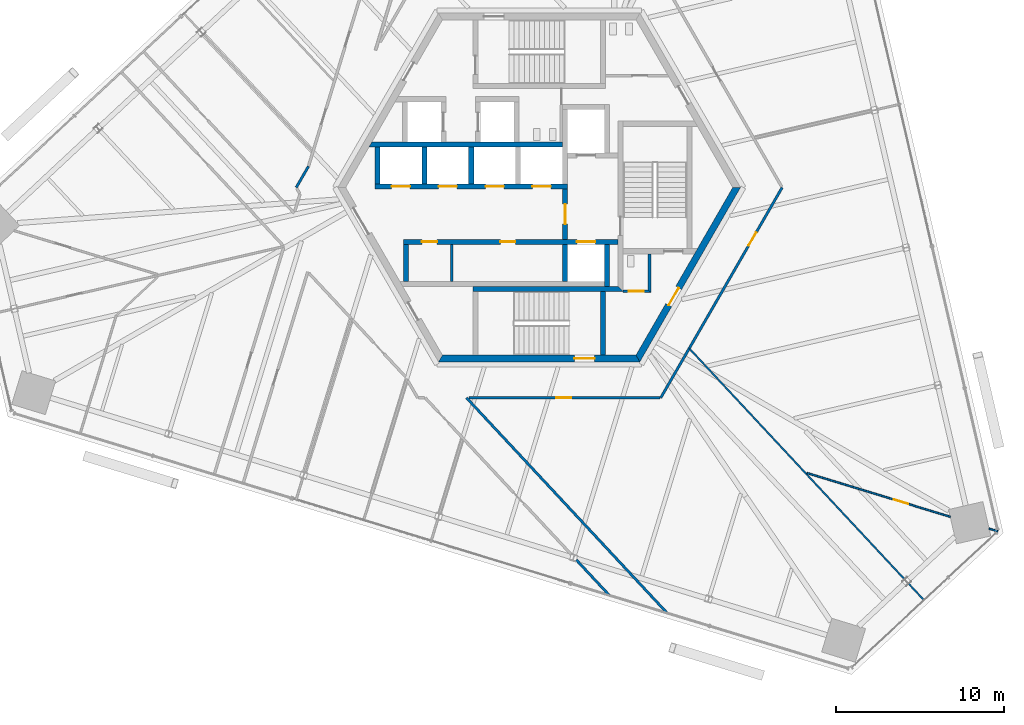
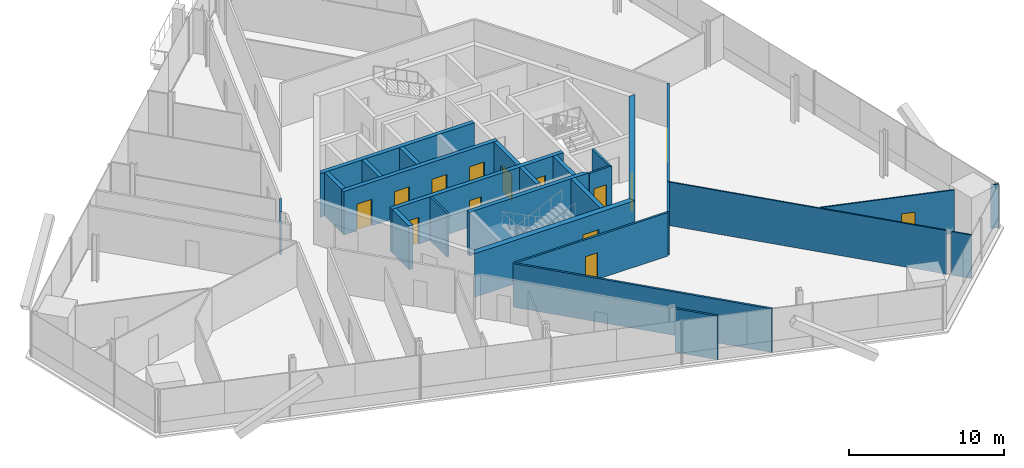
# One storey, part 12 of 18: 26 walls, 14 doors, 14 openings.
"""IFC4 building model written with IfcOpenShell, lengths in metres."""

from ifc_helpers import new_model, si_unit, direction, frame, frame_2d, origin, place, context, subcontext, project, spatial, polyline, rectangle, outline, extrude, source, transform, mapped, material, layer, layer_set, type_object, element, fill, save


model = new_model("IFC4")

# Units and contexts
model_context = context("Model", 3, precision=1e-05, world=origin(), true_north=direction((0.0, 1.0)))
body_context = subcontext(model_context, "Body", "Model", "MODEL_VIEW")
ifc_project = project(units=[si_unit("LENGTHUNIT", "METRE"), si_unit("AREAUNIT", "SQUARE_METRE"), si_unit("VOLUMEUNIT", "CUBIC_METRE"), si_unit("PLANEANGLEUNIT", "RADIAN"), si_unit("MASSUNIT", "GRAM", prefix="KILO")], contexts=[model_context])

# Site, building, storey
site_placement = place(None, origin())
site = spatial("IfcSite", under=ifc_project, at=site_placement, CompositionType="ELEMENT")
building_placement = place(site_placement, origin())
building = spatial("IfcBuilding", under=site, at=building_placement, Name="Triune Harvest Tower", CompositionType="ELEMENT")
storey_placement = place(building_placement, frame((0.0, 0.0, 101.89990234375)))
storey = spatial("IfcBuildingStorey", under=building, at=storey_placement, Name="L25", CompositionType="ELEMENT", Elevation=101.89990234375)

# Walls
ifc_material_1 = material(Name="Gypsum board on steel studs", Category="steel")
ifc_layer_1 = layer(ifc_material_1, 0.14990234375)
ifc_layer_set_1 = layer_set([ifc_layer_1], Name="Gypsum board on steel studs")
wall_type_1 = type_object("IfcWallType", Name="Fire Partition 150 mm", PredefinedType="PARTITIONING", material=ifc_layer_set_1)
wall_1_placement = place(storey_placement, frame((2.209716796875, -22.196044921875, 0.0), z_axis=(0.0, 0.0, 1.0), x_axis=(0.681947692546, -0.731400946561, 0.0)))
element("IfcWall", 1, at=wall_1_placement, inside=storey, type_object=wall_type_1, Name="Partition L25 007", PredefinedType="PARTITIONING", context=body_context, shape_type="SweptSolid", body=[
    extrude(rectangle(XDim=2.887939453125, YDim=0.14990234375, at=frame_2d((1.44384765625, 0.0))), origin(), (0.0, 0.0, 1.0), 3.440185546875),
])
wall_2_placement = place(storey_placement, frame((-4.33154296875, -12.542236328125, 0.0), z_axis=(0.0, 0.0, 1.0), x_axis=(0.68200056093, -0.731351649271, 0.0)))
element("IfcWall", 2, at=wall_2_placement, inside=storey, type_object=wall_type_1, Name="Partition L25 009", PredefinedType="PARTITIONING", context=body_context, shape_type="SweptSolid", body=[
    extrude(rectangle(XDim=17.52734375, YDim=0.14990234375, at=frame_2d((8.763671875, 0.0))), origin(), (0.0, 0.0, 1.0), 3.440185546875),
])

# Wall, opening, door
wall_3_placement = place(storey_placement, frame((-4.19140625, -12.542236328125, 0.0), z_axis=(0.0, 0.0, 1.0), x_axis=(1.0, 0.0, 0.0)))
wall_3 = element("IfcWall", 3, at=wall_3_placement, inside=storey, type_object=wall_type_1, Name="Partition L25 028", PredefinedType="PARTITIONING", context=body_context, shape_type="SweptSolid", body=[
    extrude(rectangle(XDim=11.3828125, YDim=0.14990234375, at=frame_2d((5.69140625, 0.0))), origin(), (0.0, 0.0, 1.0), 3.440185546875),
])
opening_1_placement = place(wall_3_placement, frame((5.2099609375, 0.0, 0.0)))
opening_1 = element("IfcOpeningElement", 4, at=opening_1_placement, cuts=wall_3, Name="Opening L25-018", PredefinedType="OPENING", context=body_context, shape_type="SweptSolid", body=[
    extrude(rectangle(XDim=0.89990234375, YDim=2.10009765625, at=frame_2d((0.449951171875, 1.050048828125))), frame((0.0, 0.0849609375, 0.0), z_axis=(0.0, -1.0, 0.0), x_axis=(1.0, 0.0, 0.0)), (0.0, 0.0, 1.0), 0.169921875),
])
ifc_material_2 = material(Name="Timber and steel door set", Category="steel")
door_type_1 = type_object("IfcDoorType", Name="Single leaf door FD30 left hand 900 x 2100", OperationType="SINGLE_SWING_LEFT", PredefinedType="DOOR", material=ifc_material_2)
door_1_placement = place(opening_1_placement, origin())
door_1 = element("IfcDoor", 5, at=door_1_placement, inside=storey, type_object=door_type_1, Name="Door L25-018 Open Office 25.18", OperationType="SINGLE_SWING_LEFT", OverallHeight=2.10009765625, OverallWidth=0.89990234375, PredefinedType="DOOR", context=body_context, shape_type="SweptSolid", body=[
    extrude(rectangle(XDim=0.89990234375, YDim=2.10009765625, at=frame_2d((0.449951171875, 1.050048828125))), frame((0.0, 0.02490234375, 0.0), z_axis=(0.0, -1.0, 0.0), x_axis=(1.0, 0.0, 0.0)), (0.0, 0.0, 1.0), 0.050048828125),
])
fill(opening_1, door_1)

wall_4_placement = place(storey_placement, frame((7.2412109375, -12.542236328125, 0.0), z_axis=(0.0, 0.0, 1.0), x_axis=(0.50000992002, 0.866019676383, 0.0)))
wall_4 = element("IfcWall", 6, at=wall_4_placement, inside=storey, type_object=wall_type_1, Name="Partition L25 036", PredefinedType="PARTITIONING", context=body_context, shape_type="SweptSolid", body=[
    extrude(rectangle(XDim=14.482666015625, YDim=0.14990234375, at=frame_2d((7.2412109375, 0.0))), origin(), (0.0, 0.0, 1.0), 3.440185546875),
])
opening_2_placement = place(wall_4_placement, frame((10.48193359375, 0.0, 0.0)))
opening_2 = element("IfcOpeningElement", 7, at=opening_2_placement, cuts=wall_4, Name="Opening L25-001", PredefinedType="OPENING", context=body_context, shape_type="SweptSolid", body=[
    extrude(rectangle(XDim=0.89990234375, YDim=2.10009765625, at=frame_2d((0.449951171875, 1.050048828125))), frame((0.0, 0.0849609375, 0.0), z_axis=(0.0, -1.0, 0.0), x_axis=(1.0, 0.0, 0.0)), (0.0, 0.0, 1.0), 0.169921875),
])
door_2_placement = place(opening_2_placement, origin())
door_2 = element("IfcDoor", 8, at=door_2_placement, inside=storey, type_object=door_type_1, Name="Door L25-001 Open Office 25.01", OperationType="SINGLE_SWING_LEFT", OverallHeight=2.10009765625, OverallWidth=0.89990234375, PredefinedType="DOOR", context=body_context, shape_type="SweptSolid", body=[
    extrude(rectangle(XDim=0.89990234375, YDim=2.10009765625, at=frame_2d((0.449951171875, 1.050048828125))), frame((0.0, 0.02490234375, 0.0), z_axis=(0.0, -1.0, 0.0), x_axis=(1.0, 0.0, 0.0)), (0.0, 0.0, 1.0), 0.050048828125),
])
fill(opening_2, door_2)

# Walls
wall_5_placement = place(storey_placement, frame((-14.482421875, 0.000244140625, 0.0), z_axis=(0.0, 0.0, 1.0), x_axis=(0.499973600159, 0.866040645203, 0.0)))
element("IfcWall", 9, at=wall_5_placement, inside=storey, type_object=wall_type_1, Name="Partition L25 037", PredefinedType="PARTITIONING", context=body_context, shape_type="SweptSolid", body=[
    extrude(rectangle(XDim=1.45849609375, YDim=0.14990234375, at=frame_2d((0.729248046875, 0.0))), origin(), (0.0, 0.0, 1.0), 3.440185546875),
])
ifc_material_3 = material(Name="Gypsum board on steel studs", Category="steel")
ifc_layer_2 = layer(ifc_material_3, 0.10009765625)
ifc_layer_set_2 = layer_set([ifc_layer_2], Name="Gypsum board on steel studs")
wall_type_2 = type_object("IfcWallType", Name="Partition 100 mm", PredefinedType="PARTITIONING", material=ifc_layer_set_2)
wall_6_placement = place(storey_placement, frame((8.944580078125, -9.592041015625, 0.0), z_axis=(0.0, 0.0, 1.0), x_axis=(0.682007100477, -0.731345550953, 0.0)))
element("IfcWall", 10, at=wall_6_placement, inside=storey, type_object=wall_type_2, Name="Partition L25 015", PredefinedType="PARTITIONING", context=body_context, shape_type="SweptSolid", body=[
    extrude(rectangle(XDim=18.818359375, YDim=0.10009765625, at=frame_2d((9.4091796875, 0.0))), origin(), (0.0, 0.0, 1.0), 3.440185546875),
])

# Wall, opening, door
wall_7_placement = place(storey_placement, frame((15.968017578125, -17.020751953125, 0.0), z_axis=(0.0, 0.0, 1.0), x_axis=(0.956306366949, -0.292366435373, 0.0)))
wall_7 = element("IfcWall", 11, at=wall_7_placement, inside=storey, type_object=wall_type_2, Name="Partition L25 025", PredefinedType="PARTITIONING", context=body_context, shape_type="SweptSolid", body=[
    extrude(rectangle(XDim=8.9326171875, YDim=0.10009765625, at=frame_2d((4.46630859375, 0.0))), origin(), (0.0, 0.0, 1.0), 3.440185546875),
])
opening_3_placement = place(wall_7_placement, frame((5.409912109375, 0.0, 0.0)))
opening_3 = element("IfcOpeningElement", 12, at=opening_3_placement, cuts=wall_7, Name="Opening L25-019", PredefinedType="OPENING", context=body_context, shape_type="SweptSolid", body=[
    extrude(rectangle(XDim=0.89990234375, YDim=2.10009765625, at=frame_2d((0.449951171875, 1.050048828125))), frame((0.0, 0.06005859375, 0.0), z_axis=(0.0, -1.0, 0.0), x_axis=(1.0, 0.0, 0.0)), (0.0, 0.0, 1.0), 0.1201171875),
])
ifc_material_4 = material(Name="Timber and steel door set", Category="steel")
door_type_2 = type_object("IfcDoorType", Name="Single leaf door left hand 900 x 2100", OperationType="SINGLE_SWING_LEFT", PredefinedType="DOOR", material=ifc_material_4)
door_3_placement = place(opening_3_placement, origin())
door_3 = element("IfcDoor", 13, at=door_3_placement, inside=storey, type_object=door_type_2, Name="Door L25-019 Meeting Room 25.19", OperationType="SINGLE_SWING_LEFT", OverallHeight=2.10009765625, OverallWidth=0.89990234375, PredefinedType="DOOR", context=body_context, shape_type="SweptSolid", body=[
    extrude(rectangle(XDim=0.89990234375, YDim=2.10009765625, at=frame_2d((0.449951171875, 1.050048828125))), frame((0.0, 0.02490234375, 0.0), z_axis=(0.0, -1.0, 0.0), x_axis=(1.0, 0.0, 0.0)), (0.0, 0.0, 1.0), 0.050048828125),
])
fill(opening_3, door_3)

# Wall
wall_8_placement = place(storey_placement, frame((26.806884765625, -20.334716796875, 0.0), z_axis=(0.0, 0.0, 1.0), x_axis=(0.956416704969, -0.292005284981, 0.0)))
element("IfcWall", 14, at=wall_8_placement, inside=storey, type_object=wall_type_2, Name="Partition L25 026", PredefinedType="PARTITIONING", context=body_context, shape_type="SweptSolid", body=[
    extrude(rectangle(XDim=0.552734375, YDim=0.10009765625, at=frame_2d((0.2763671875, 0.0))), origin(), (0.0, 0.0, 1.0), 3.440185546875),
])

# Wall, opening, door
ifc_material_5 = material(Name="Concrete 70 MPa", Category="concrete")
ifc_layer_3 = layer(ifc_material_5, 0.39990234375)
ifc_layer_set_3 = layer_set([ifc_layer_3], Name="Concrete 70 MPa")
wall_type_3 = type_object("IfcWallType", Name="Core wall 400", PredefinedType="SHEAR", material=ifc_layer_set_3)
shared_shape_1 = source(origin(), body_context, "Body", "SweptSolid", [
    extrude(outline(polyline([(-0.115478515625, -0.199951171875), (11.884521484375, -0.199951171875), (11.653564453125, 0.199951171875), (0.115478515625, 0.199951171875), (-0.115478515625, -0.199951171875)])), origin(), (0.0, 0.0, 1.0), 3.440185546875),
])
wall_9_placement = place(storey_placement, frame((-5.884521484375, -10.1923828125, 0.0), z_axis=(0.0, 0.0, 1.0), x_axis=(1.0, 0.0, 0.0)))
wall_9 = element("IfcWall", 15, at=wall_9_placement, inside=storey, type_object=wall_type_3, Name="Hexagon 4 wall", PredefinedType="SHEAR", context=body_context, shape_type="MappedRepresentation", body=[
    mapped(shared_shape_1, transform((0.0, 0.0, 0.0), scale=1.0)),
])
opening_4_placement = place(wall_9_placement, frame((7.984619140625, 0.0, 0.0)))
opening_4 = element("IfcOpeningElement", 16, at=opening_4_placement, cuts=wall_9, Name="Opening CD-S2P", PredefinedType="OPENING", context=body_context, shape_type="SweptSolid", body=[
    extrude(rectangle(XDim=1.199951171875, YDim=2.10009765625, at=frame_2d((0.60009765625, 1.050048828125))), frame((0.0, 0.2099609375, 0.0), z_axis=(0.0, -1.0, 0.0), x_axis=(1.0, 0.0, 0.0)), (0.0, 0.0, 1.0), 0.419921875),
])
ifc_material_6 = material(Name="Steel S235", Category="steel")
door_type_3 = type_object("IfcDoorType", Name="Stair door 1200 FD120", OperationType="SINGLE_SWING_LEFT", PredefinedType="DOOR", material=ifc_material_6)
door_4_placement = place(opening_4_placement, frame((1.199951171875, 0.0, 0.0), z_axis=(0.0, 0.0, 1.0), x_axis=(-1.0, 0.0, 0.0)))
door_4 = element("IfcDoor", 17, at=door_4_placement, inside=storey, type_object=door_type_3, Name="Door CD-S2P", OperationType="SINGLE_SWING_RIGHT", OverallHeight=2.10009765625, OverallWidth=1.199951171875, PredefinedType="DOOR", context=body_context, shape_type="SweptSolid", body=[
    extrude(rectangle(XDim=1.199951171875, YDim=2.10009765625, at=frame_2d((0.60009765625, 1.050048828125))), frame((0.0, 0.02490234375, 0.0), z_axis=(0.0, -1.0, 0.0), x_axis=(1.0, 0.0, 0.0)), (0.0, 0.0, 1.0), 0.050048828125),
])
fill(opening_4, door_4)

wall_10_placement = place(storey_placement, frame((5.884521484375, -10.1923828125, 0.0), z_axis=(0.0, 0.0, 1.0), x_axis=(0.499996592174, 0.866027371285, 0.0)))
wall_10 = element("IfcWall", 18, at=wall_10_placement, inside=storey, type_object=wall_type_3, Name="Hexagon 5 wall", PredefinedType="SHEAR", context=body_context, shape_type="MappedRepresentation", body=[
    mapped(shared_shape_1, transform((0.0, 0.0, 0.0), scale=1.0)),
])
opening_5_placement = place(wall_10_placement, frame((3.66455078125, 0.0, 0.0)))
opening_5 = element("IfcOpeningElement", 19, at=opening_5_placement, cuts=wall_10, Name="Opening CD-DP", PredefinedType="OPENING", context=body_context, shape_type="SweptSolid", body=[
    extrude(rectangle(XDim=1.199951171875, YDim=2.10009765625, at=frame_2d((0.60009765625, 1.050048828125))), frame((0.0, 0.2099609375, 0.0), z_axis=(0.0, -1.0, 0.0), x_axis=(1.0, 0.0, 0.0)), (0.0, 0.0, 1.0), 0.419921875),
])
door_5_placement = place(opening_5_placement, frame((1.199951171875, 0.0, 0.0), z_axis=(0.0, 0.0, 1.0), x_axis=(-1.0, 0.0, 0.0)))
door_5 = element("IfcDoor", 20, at=door_5_placement, inside=storey, type_object=door_type_3, Name="Door CD-DP", OperationType="SINGLE_SWING_RIGHT", OverallHeight=2.10009765625, OverallWidth=1.199951171875, PredefinedType="DOOR", context=body_context, shape_type="SweptSolid", body=[
    extrude(rectangle(XDim=1.199951171875, YDim=2.10009765625, at=frame_2d((0.60009765625, 1.050048828125))), frame((0.0, 0.02490234375, 0.0), z_axis=(0.0, -1.0, 0.0), x_axis=(1.0, 0.0, 0.0)), (0.0, 0.0, 1.0), 0.050048828125),
])
fill(opening_5, door_5)

# Wall, openings, doors
ifc_material_7 = material(Name="Concrete 70 MPa", Category="concrete")
ifc_layer_4 = layer(ifc_material_7, 0.300048828125)
ifc_layer_set_4 = layer_set([ifc_layer_4], Name="Concrete 70 MPa")
wall_type_4 = type_object("IfcWallType", Name="Core wall 300", PredefinedType="SHEAR", material=ifc_layer_set_4)
shared_shape_2 = source(origin(), body_context, "Body", "SweptSolid", [
    extrude(rectangle(XDim=11.5, YDim=0.300048828125, at=frame_2d((5.75, 0.0))), origin(), (0.0, 0.0, 1.0), 3.440185546875),
])
wall_11_placement = place(storey_placement, frame((-9.800048828125, 0.06005859375, 0.0), z_axis=(0.0, 0.0, 1.0), x_axis=(1.0, 0.0, 0.0)))
wall_11 = element("IfcWall", 21, at=wall_11_placement, inside=storey, type_object=wall_type_4, Name="North front wall", PredefinedType="SHEAR", context=body_context, shape_type="MappedRepresentation", body=[
    mapped(shared_shape_2, transform((0.0, 0.0, 0.0), scale=1.0)),
])
opening_6_placement = place(wall_11_placement, frame((1.0, 0.0, 0.0)))
opening_6 = element("IfcOpeningElement", 22, at=opening_6_placement, cuts=wall_11, Name="Opening LD-LR1-25", PredefinedType="OPENING", context=body_context, shape_type="SweptSolid", body=[
    extrude(rectangle(XDim=1.10009765625, YDim=2.10009765625, at=frame_2d((0.550048828125, 1.050048828125))), frame((0.0, 0.16015625, 0.0), z_axis=(0.0, -1.0, 0.0), x_axis=(1.0, 0.0, 0.0)), (0.0, 0.0, 1.0), 0.320068359375),
])
opening_7_placement = place(wall_11_placement, frame((3.800048828125, 0.0, 0.0)))
opening_7 = element("IfcOpeningElement", 23, at=opening_7_placement, cuts=wall_11, Name="Opening LD-LR2-25", PredefinedType="OPENING", context=body_context, shape_type="SweptSolid", body=[
    extrude(rectangle(XDim=1.10009765625, YDim=2.10009765625, at=frame_2d((0.550048828125, 1.050048828125))), frame((0.0, 0.16015625, 0.0), z_axis=(0.0, -1.0, 0.0), x_axis=(1.0, 0.0, 0.0)), (0.0, 0.0, 1.0), 0.320068359375),
])
opening_8_placement = place(wall_11_placement, frame((6.60009765625, 0.0, 0.0)))
opening_8 = element("IfcOpeningElement", 24, at=opening_8_placement, cuts=wall_11, Name="Opening LD-LR3-25", PredefinedType="OPENING", context=body_context, shape_type="SweptSolid", body=[
    extrude(rectangle(XDim=1.10009765625, YDim=2.10009765625, at=frame_2d((0.550048828125, 1.050048828125))), frame((0.0, 0.16015625, 0.0), z_axis=(0.0, -1.0, 0.0), x_axis=(1.0, 0.0, 0.0)), (0.0, 0.0, 1.0), 0.320068359375),
])
opening_9_placement = place(wall_11_placement, frame((9.39990234375, 0.0, 0.0)))
opening_9 = element("IfcOpeningElement", 25, at=opening_9_placement, cuts=wall_11, Name="Opening LD-LR4-25", PredefinedType="OPENING", context=body_context, shape_type="SweptSolid", body=[
    extrude(rectangle(XDim=1.10009765625, YDim=2.10009765625, at=frame_2d((0.550048828125, 1.050048828125))), frame((0.0, 0.16015625, 0.0), z_axis=(0.0, -1.0, 0.0), x_axis=(1.0, 0.0, 0.0)), (0.0, 0.0, 1.0), 0.320068359375),
])
ifc_material_8 = material(Name="Stainless steel AISI 304", Category="steel")
door_type_4 = type_object("IfcDoorType", Name="Landing door 1100 x 2100", OperationType="DOUBLE_DOOR_SLIDING", PredefinedType="DOOR", material=ifc_material_8)
door_6_placement = place(opening_6_placement, origin())
door_6 = element("IfcDoor", 26, at=door_6_placement, inside=storey, type_object=door_type_4, Name="Door LD-LR1-25", OperationType="DOUBLE_DOOR_SLIDING", OverallHeight=2.10009765625, OverallWidth=1.10009765625, PredefinedType="DOOR", context=body_context, shape_type="SweptSolid", body=[
    extrude(rectangle(XDim=1.10009765625, YDim=2.10009765625, at=frame_2d((0.550048828125, 1.050048828125))), frame((0.0, 0.02490234375, 0.0), z_axis=(0.0, -1.0, 0.0), x_axis=(1.0, 0.0, 0.0)), (0.0, 0.0, 1.0), 0.050048828125),
])
fill(opening_6, door_6)
door_7_placement = place(opening_7_placement, origin())
door_7 = element("IfcDoor", 27, at=door_7_placement, inside=storey, type_object=door_type_4, Name="Door LD-LR2-25", OperationType="DOUBLE_DOOR_SLIDING", OverallHeight=2.10009765625, OverallWidth=1.10009765625, PredefinedType="DOOR", context=body_context, shape_type="SweptSolid", body=[
    extrude(rectangle(XDim=1.10009765625, YDim=2.10009765625, at=frame_2d((0.550048828125, 1.050048828125))), frame((0.0, 0.02490234375, 0.0), z_axis=(0.0, -1.0, 0.0), x_axis=(1.0, 0.0, 0.0)), (0.0, 0.0, 1.0), 0.050048828125),
])
fill(opening_7, door_7)
door_8_placement = place(opening_8_placement, origin())
door_8 = element("IfcDoor", 28, at=door_8_placement, inside=storey, type_object=door_type_4, Name="Door LD-LR3-25", OperationType="DOUBLE_DOOR_SLIDING", OverallHeight=2.10009765625, OverallWidth=1.10009765625, PredefinedType="DOOR", context=body_context, shape_type="SweptSolid", body=[
    extrude(rectangle(XDim=1.10009765625, YDim=2.10009765625, at=frame_2d((0.550048828125, 1.050048828125))), frame((0.0, 0.02490234375, 0.0), z_axis=(0.0, -1.0, 0.0), x_axis=(1.0, 0.0, 0.0)), (0.0, 0.0, 1.0), 0.050048828125),
])
fill(opening_8, door_8)
door_9_placement = place(opening_9_placement, origin())
door_9 = element("IfcDoor", 29, at=door_9_placement, inside=storey, type_object=door_type_4, Name="Door LD-LR4-25", OperationType="DOUBLE_DOOR_SLIDING", OverallHeight=2.10009765625, OverallWidth=1.10009765625, PredefinedType="DOOR", context=body_context, shape_type="SweptSolid", body=[
    extrude(rectangle(XDim=1.10009765625, YDim=2.10009765625, at=frame_2d((0.550048828125, 1.050048828125))), frame((0.0, 0.02490234375, 0.0), z_axis=(0.0, -1.0, 0.0), x_axis=(1.0, 0.0, 0.0)), (0.0, 0.0, 1.0), 0.050048828125),
])
fill(opening_9, door_9)

# Walls
shared_shape_3 = source(origin(), body_context, "Body", "SweptSolid", [
    extrude(outline(polyline([(11.199951171875, -0.14990234375), (-0.34912109375, -0.14990234375), (-0.17578125, 0.14990234375), (11.199951171875, 0.14990234375), (11.199951171875, -0.14990234375)])), origin(), (0.0, 0.0, 1.0), 3.440185546875),
])
wall_12_placement = place(storey_placement, frame((-9.800048828125, 2.56005859375, 0.0), z_axis=(0.0, 0.0, 1.0), x_axis=(1.0, 0.0, 0.0)))
element("IfcWall", 30, at=wall_12_placement, inside=storey, type_object=wall_type_4, Name="North back wall", PredefinedType="SHEAR", context=body_context, shape_type="MappedRepresentation", body=[
    mapped(shared_shape_3, transform((0.0, 0.0, 0.0), scale=1.0)),
])
shared_shape_4 = source(origin(), body_context, "Body", "SweptSolid", [
    extrude(rectangle(XDim=2.5, YDim=0.300048828125, at=frame_2d((1.25, 0.0))), origin(), (0.0, 0.0, 1.0), 3.440185546875),
])
wall_13_placement = place(storey_placement, frame((4.050048828125, -5.889892578125, 0.0), z_axis=(0.0, 0.0, 1.0), x_axis=(0.0, 1.0, 0.0)))
element("IfcWall", 31, at=wall_13_placement, inside=storey, type_object=wall_type_4, Name="Ff2 east wall", PredefinedType="SHEAR", context=body_context, shape_type="MappedRepresentation", body=[
    mapped(shared_shape_4, transform((0.0, 0.0, 0.0), scale=1.0)),
])

# Wall, opening, door
shared_shape_5 = source(origin(), body_context, "Body", "SweptSolid", [
    extrude(rectangle(XDim=3.0, YDim=0.300048828125, at=frame_2d((1.5, 0.0))), origin(), (0.0, 0.0, 1.0), 3.440185546875),
])
wall_14_placement = place(storey_placement, frame((1.550048828125, -3.090087890625, 0.0), z_axis=(0.0, 0.0, 1.0), x_axis=(0.0, 1.0, 0.0)))
wall_14 = element("IfcWall", 32, at=wall_14_placement, inside=storey, type_object=wall_type_4, Name="Ff lobby west wall", PredefinedType="SHEAR", context=body_context, shape_type="MappedRepresentation", body=[
    mapped(shared_shape_5, transform((0.0, 0.0, 0.0), scale=1.0)),
])
opening_10_placement = place(wall_14_placement, frame((0.89990234375, 0.0, 0.0)))
opening_10 = element("IfcOpeningElement", 33, at=opening_10_placement, cuts=wall_14, Name="Opening CD-FL", PredefinedType="OPENING", context=body_context, shape_type="SweptSolid", body=[
    extrude(rectangle(XDim=1.199951171875, YDim=2.10009765625, at=frame_2d((0.60009765625, 1.050048828125))), frame((0.0, 0.16015625, 0.0), z_axis=(0.0, -1.0, 0.0), x_axis=(1.0, 0.0, 0.0)), (0.0, 0.0, 1.0), 0.320068359375),
])
ifc_material_9 = material(Name="Steel S235", Category="steel")
door_type_5 = type_object("IfcDoorType", Name="Firefighters' lobby door 1200 FD120", OperationType="SINGLE_SWING_LEFT", PredefinedType="DOOR", material=ifc_material_9)
door_10_placement = place(opening_10_placement, frame((1.199951171875, 0.0, 0.0), z_axis=(0.0, 0.0, 1.0), x_axis=(-1.0, 0.0, 0.0)))
door_10 = element("IfcDoor", 34, at=door_10_placement, inside=storey, type_object=door_type_5, Name="Door CD-FL", OperationType="SINGLE_SWING_RIGHT", OverallHeight=2.10009765625, OverallWidth=1.199951171875, PredefinedType="DOOR", context=body_context, shape_type="SweptSolid", body=[
    extrude(rectangle(XDim=1.199951171875, YDim=2.10009765625, at=frame_2d((0.60009765625, 1.050048828125))), frame((0.0, 0.02490234375, 0.0), z_axis=(0.0, -1.0, 0.0), x_axis=(1.0, 0.0, 0.0)), (0.0, 0.0, 1.0), 0.050048828125),
])
fill(opening_10, door_10)

# Wall, openings, doors
shared_shape_6 = source(origin(), body_context, "Body", "SweptSolid", [
    extrude(rectangle(XDim=12.800048828125, YDim=0.300048828125, at=frame_2d((6.39990234375, 0.0))), origin(), (0.0, 0.0, 1.0), 3.440185546875),
])
wall_15_placement = place(storey_placement, frame((-8.10009765625, -3.239990234375, 0.0), z_axis=(0.0, 0.0, 1.0), x_axis=(1.0, 0.0, 0.0)))
wall_15 = element("IfcWall", 35, at=wall_15_placement, inside=storey, type_object=wall_type_4, Name="South front wall", PredefinedType="SHEAR", context=body_context, shape_type="MappedRepresentation", body=[
    mapped(shared_shape_6, transform((0.0, 0.0, 0.0), scale=1.0)),
])
opening_11_placement = place(wall_15_placement, frame((1.112548828125, 0.0, 0.0)))
opening_11 = element("IfcOpeningElement", 36, at=opening_11_placement, cuts=wall_15, Name="Opening CD-RS1", PredefinedType="OPENING", context=body_context, shape_type="SweptSolid", body=[
    extrude(rectangle(XDim=0.89990234375, YDim=2.10009765625, at=frame_2d((0.449951171875, 1.050048828125))), frame((0.0, 0.16015625, 0.0), z_axis=(0.0, -1.0, 0.0), x_axis=(1.0, 0.0, 0.0)), (0.0, 0.0, 1.0), 0.320068359375),
])
opening_12_placement = place(wall_15_placement, frame((5.78759765625, 0.0, 0.0)))
opening_12 = element("IfcOpeningElement", 37, at=opening_12_placement, cuts=wall_15, Name="Opening CD-RS2", PredefinedType="OPENING", context=body_context, shape_type="SweptSolid", body=[
    extrude(rectangle(XDim=0.89990234375, YDim=2.10009765625, at=frame_2d((0.449951171875, 1.050048828125))), frame((0.0, 0.16015625, 0.0), z_axis=(0.0, -1.0, 0.0), x_axis=(1.0, 0.0, 0.0)), (0.0, 0.0, 1.0), 0.320068359375),
])
opening_13_placement = place(wall_15_placement, frame((10.35009765625, 0.0, 0.0)))
opening_13 = element("IfcOpeningElement", 38, at=opening_13_placement, cuts=wall_15, Name="Opening LD-FF2-25", PredefinedType="OPENING", context=body_context, shape_type="SweptSolid", body=[
    extrude(rectangle(XDim=1.10009765625, YDim=2.10009765625, at=frame_2d((0.550048828125, 1.050048828125))), frame((0.0, 0.16015625, 0.0), z_axis=(0.0, -1.0, 0.0), x_axis=(1.0, 0.0, 0.0)), (0.0, 0.0, 1.0), 0.320068359375),
])
door_11_placement = place(opening_13_placement, origin())
door_11 = element("IfcDoor", 39, at=door_11_placement, inside=storey, type_object=door_type_4, Name="Door LD-FF2-25", OperationType="DOUBLE_DOOR_SLIDING", OverallHeight=2.10009765625, OverallWidth=1.10009765625, PredefinedType="DOOR", context=body_context, shape_type="SweptSolid", body=[
    extrude(rectangle(XDim=1.10009765625, YDim=2.10009765625, at=frame_2d((0.550048828125, 1.050048828125))), frame((0.0, 0.02490234375, 0.0), z_axis=(0.0, -1.0, 0.0), x_axis=(1.0, 0.0, 0.0)), (0.0, 0.0, 1.0), 0.050048828125),
])
fill(opening_13, door_11)
ifc_material_10 = material(Name="Steel S235", Category="steel")
door_type_6 = type_object("IfcDoorType", Name="Riser door 900 FD120", OperationType="SINGLE_SWING_LEFT", PredefinedType="DOOR", material=ifc_material_10)
door_12_placement = place(opening_11_placement, origin())
door_12 = element("IfcDoor", 40, at=door_12_placement, inside=storey, type_object=door_type_6, Name="Door CD-RS1", OperationType="SINGLE_SWING_LEFT", OverallHeight=2.10009765625, OverallWidth=0.89990234375, PredefinedType="DOOR", context=body_context, shape_type="SweptSolid", body=[
    extrude(rectangle(XDim=0.89990234375, YDim=2.10009765625, at=frame_2d((0.449951171875, 1.050048828125))), frame((0.0, 0.02490234375, 0.0), z_axis=(0.0, -1.0, 0.0), x_axis=(1.0, 0.0, 0.0)), (0.0, 0.0, 1.0), 0.050048828125),
])
fill(opening_11, door_12)
door_13_placement = place(opening_12_placement, origin())
door_13 = element("IfcDoor", 41, at=door_13_placement, inside=storey, type_object=door_type_6, Name="Door CD-RS2", OperationType="SINGLE_SWING_LEFT", OverallHeight=2.10009765625, OverallWidth=0.89990234375, PredefinedType="DOOR", context=body_context, shape_type="SweptSolid", body=[
    extrude(rectangle(XDim=0.89990234375, YDim=2.10009765625, at=frame_2d((0.449951171875, 1.050048828125))), frame((0.0, 0.02490234375, 0.0), z_axis=(0.0, -1.0, 0.0), x_axis=(1.0, 0.0, 0.0)), (0.0, 0.0, 1.0), 0.050048828125),
])
fill(opening_12, door_13)

# Walls
shared_shape_7 = source(origin(), body_context, "Body", "SweptSolid", [
    extrude(rectangle(XDim=2.2001953125, YDim=0.300048828125, at=frame_2d((1.10009765625, 0.0))), origin(), (0.0, 0.0, 1.0), 3.440185546875),
])
for number, where, z_axis, x_axis, name in (
    (42, (-7.949951171875, -5.590087890625, 0.0), (0.0, 0.0, 1.0), (0.0, 1.0, 0.0), "South end west wall"),
    (43, (1.550048828125, -5.590087890625, 0.0), (0.0, 0.0, 1.0), (0.0, 1.0, 0.0), "Ff2 west wall"),
):
    element("IfcWall", number, at=place(storey_placement, frame(where, z_axis=z_axis, x_axis=x_axis)), inside=storey, type_object=wall_type_4, Name=name, PredefinedType="SHEAR", context=body_context, shape_type="MappedRepresentation", body=[
        mapped(shared_shape_7, transform((0.0, 0.0, 0.0), scale=1.0)),
    ])
shared_shape_8 = source(origin(), body_context, "Body", "SweptSolid", [
    extrude(rectangle(XDim=2.199951171875, YDim=0.300048828125, at=frame_2d((1.10009765625, 0.0))), origin(), (0.0, 0.0, 1.0), 3.440185546875),
])
for number, where, z_axis, x_axis, name in (
    (44, (-9.64990234375, 0.2099609375, 0.0), (0.0, 0.0, 1.0), (0.0, 1.0, 0.0), "North end west wall"),
    (45, (-6.85009765625, 0.2099609375, 0.0), (0.0, 0.0, 1.0), (0.0, 1.0, 0.0), "North cross 1 wall"),
    (46, (-4.050048828125, 0.2099609375, 0.0), (0.0, 0.0, 1.0), (0.0, 1.0, 0.0), "North cross 2 wall"),
):
    element("IfcWall", number, at=place(storey_placement, frame(where, z_axis=z_axis, x_axis=x_axis)), inside=storey, type_object=wall_type_4, Name=name, PredefinedType="SHEAR", context=body_context, shape_type="MappedRepresentation", body=[
        mapped(shared_shape_8, transform((0.0, 0.0, 0.0), scale=1.0)),
    ])
shared_shape_9 = source(origin(), body_context, "Body", "SweptSolid", [
    extrude(outline(polyline([(0.0, -0.14990234375), (8.949951171875, -0.14990234375), (8.64990234375, 0.14990234375), (0.0, 0.14990234375), (0.0, -0.14990234375)])), origin(), (0.0, 0.0, 1.0), 3.440185546875),
])
wall_16_placement = place(storey_placement, frame((-3.949951171875, -6.0400390625, 0.0), z_axis=(0.0, 0.0, 1.0), x_axis=(1.0, 0.0, 0.0)))
element("IfcWall", 47, at=wall_16_placement, inside=storey, type_object=wall_type_4, Name="Stair s north wall", PredefinedType="SHEAR", context=body_context, shape_type="MappedRepresentation", body=[
    mapped(shared_shape_9, transform((0.0, 0.0, 0.0), scale=1.0)),
])
shared_shape_10 = source(origin(), body_context, "Body", "SweptSolid", [
    extrude(outline(polyline([(3.800048828125, -0.14990234375), (-0.00439453125, -0.14990234375), (-0.00439453125, 0.14990234375), (3.800048828125, 0.14990234375), (3.800048828125, -0.14990234375)])), origin(), (0.0, 0.0, 1.0), 3.440185546875),
])
wall_17_placement = place(storey_placement, frame((3.800048828125, -9.989990234375, 0.0), z_axis=(0.0, 0.0, 1.0), x_axis=(0.0, 1.0, 0.0)))
element("IfcWall", 48, at=wall_17_placement, inside=storey, type_object=wall_type_4, Name="Stair s east wall", PredefinedType="SHEAR", context=body_context, shape_type="MappedRepresentation", body=[
    mapped(shared_shape_10, transform((0.0, 0.0, 0.0), scale=1.0)),
])
ifc_material_11 = material(Name="Concrete masonry unit", Category="masonry")
ifc_layer_5 = layer(ifc_material_11, 0.14990234375)
ifc_layer_set_5 = layer_set([ifc_layer_5], Name="Concrete masonry unit")
wall_type_5 = type_object("IfcWallType", Name="Block partition 150", PredefinedType="PARTITIONING", material=ifc_layer_set_5)
shared_shape_11 = source(origin(), body_context, "Body", "SweptSolid", [
    extrude(rectangle(XDim=2.2001953125, YDim=0.14990234375, at=frame_2d((1.10009765625, 0.0))), origin(), (0.0, 0.0, 1.0), 3.440185546875),
])
wall_18_placement = place(storey_placement, frame((-5.199951171875, -5.590087890625, 0.0), z_axis=(0.0, 0.0, 1.0), x_axis=(0.0, 1.0, 0.0)))
element("IfcWall", 49, at=wall_18_placement, inside=storey, type_object=wall_type_5, Name="Row s part 1 wall", PredefinedType="PARTITIONING", context=body_context, shape_type="MappedRepresentation", body=[
    mapped(shared_shape_11, transform((0.0, 0.0, 0.0), scale=1.0)),
])

# Wall, opening, door
ifc_material_12 = material(Name="Concrete masonry unit", Category="masonry")
ifc_layer_6 = layer(ifc_material_12, 0.14990234375)
ifc_layer_set_6 = layer_set([ifc_layer_6], Name="Concrete masonry unit")
wall_type_6 = type_object("IfcWallType", Name="Block partition 150 unrated", PredefinedType="PARTITIONING", material=ifc_layer_set_6)
shared_shape_12 = source(origin(), body_context, "Body", "SweptSolid", [
    extrude(outline(polyline([(0.0, -0.074951171875), (1.64990234375, -0.074951171875), (1.5, 0.074951171875), (0.0, 0.074951171875), (0.0, -0.074951171875)])), origin(), (0.0, 0.0, 1.0), 3.440185546875),
])
wall_19_placement = place(storey_placement, frame((5.0, -6.18994140625, 0.0), z_axis=(0.0, 0.0, 1.0), x_axis=(1.0, 0.0, 0.0)))
wall_19 = element("IfcWall", 50, at=wall_19_placement, inside=storey, type_object=wall_type_6, Name="Wc acc south wall", PredefinedType="PARTITIONING", context=body_context, shape_type="MappedRepresentation", body=[
    mapped(shared_shape_12, transform((0.0, 0.0, 0.0), scale=1.0)),
])
opening_14_placement = place(wall_19_placement, frame((0.33740234375, 0.0, 0.0)))
opening_14 = element("IfcOpeningElement", 51, at=opening_14_placement, cuts=wall_19, Name="Opening CD-WA", PredefinedType="OPENING", context=body_context, shape_type="SweptSolid", body=[
    extrude(rectangle(XDim=0.89990234375, YDim=2.10009765625, at=frame_2d((0.449951171875, 1.050048828125))), frame((0.0, 0.0849609375, 0.0), z_axis=(0.0, -1.0, 0.0), x_axis=(1.0, 0.0, 0.0)), (0.0, 0.0, 1.0), 0.169921875),
])
ifc_material_13 = material(Name="Timber C24", Category="wood")
door_type_7 = type_object("IfcDoorType", Name="WC door 900", OperationType="SINGLE_SWING_LEFT", PredefinedType="DOOR", material=ifc_material_13)
door_14_placement = place(opening_14_placement, origin())
door_14 = element("IfcDoor", 52, at=door_14_placement, inside=storey, type_object=door_type_7, Name="Door CD-WA", OperationType="SINGLE_SWING_LEFT", OverallHeight=2.10009765625, OverallWidth=0.89990234375, PredefinedType="DOOR", context=body_context, shape_type="SweptSolid", body=[
    extrude(rectangle(XDim=0.89990234375, YDim=2.10009765625, at=frame_2d((0.449951171875, 1.050048828125))), frame((0.0, 0.02490234375, 0.0), z_axis=(0.0, -1.0, 0.0), x_axis=(1.0, 0.0, 0.0)), (0.0, 0.0, 1.0), 0.050048828125),
])
fill(opening_14, door_14)

# Walls
shared_shape_13 = source(origin(), body_context, "Body", "SweptSolid", [
    extrude(outline(polyline([(-0.074951171875, -0.074951171875), (2.239990234375, -0.074951171875), (2.239990234375, 0.074951171875), (0.074951171875, 0.074951171875), (-0.074951171875, -0.074951171875)])), origin(), (0.0, 0.0, 1.0), 3.440185546875),
])
wall_20_placement = place(storey_placement, frame((6.574951171875, -6.18994140625, 0.0), z_axis=(0.0, 0.0, 1.0), x_axis=(0.0, 1.0, 0.0)))
element("IfcWall", 53, at=wall_20_placement, inside=storey, type_object=wall_type_6, Name="Wc acc east wall", PredefinedType="PARTITIONING", context=body_context, shape_type="MappedRepresentation", body=[
    mapped(shared_shape_13, transform((0.0, 0.0, 0.0), scale=1.0)),
])
shared_shape_14 = source(origin(), body_context, "Body", "SweptSolid", [
    extrude(rectangle(XDim=1.338134765625, YDim=0.10009765625, at=frame_2d((0.6689453125, 0.0))), origin(), (0.0, 0.0, 1.0), 3.440185546875),
])
wall_21_placement = place(storey_placement, frame((22.02490234375, -23.618896484375, 0.0), z_axis=(0.0, 0.0, 1.0), x_axis=(0.68204515899, -0.731310058114, 0.0)))
element("IfcWall", 54, at=wall_21_placement, inside=storey, type_object=wall_type_2, Name="Partition L25 016", PredefinedType="PARTITIONING", context=body_context, shape_type="MappedRepresentation", body=[
    mapped(shared_shape_14, transform((0.0, 0.0, 0.0), scale=1.0)),
])

save(model, "model.ifc")
